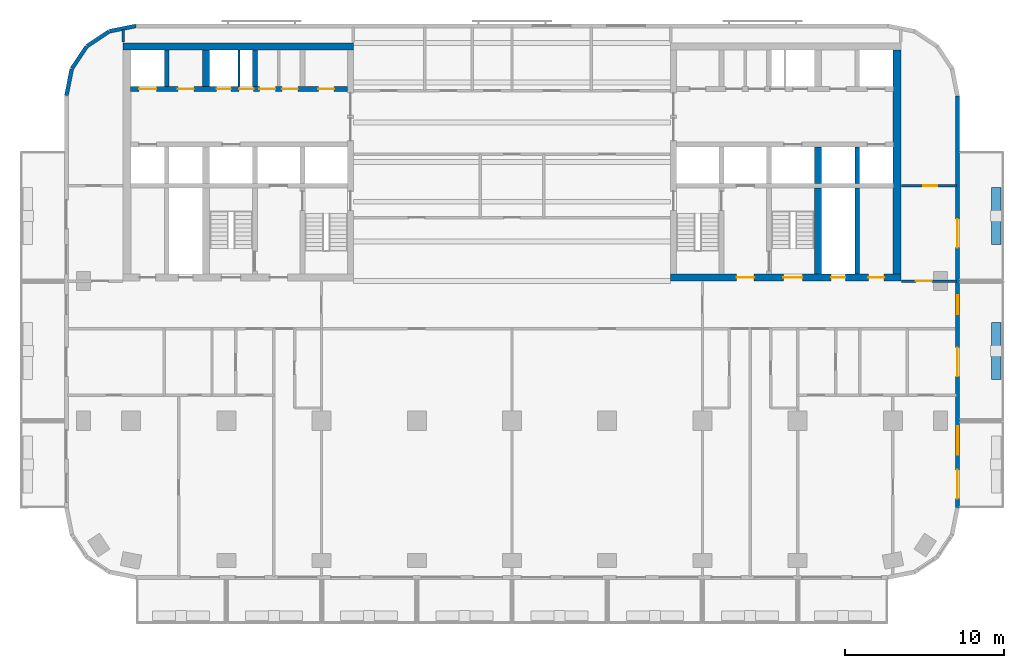
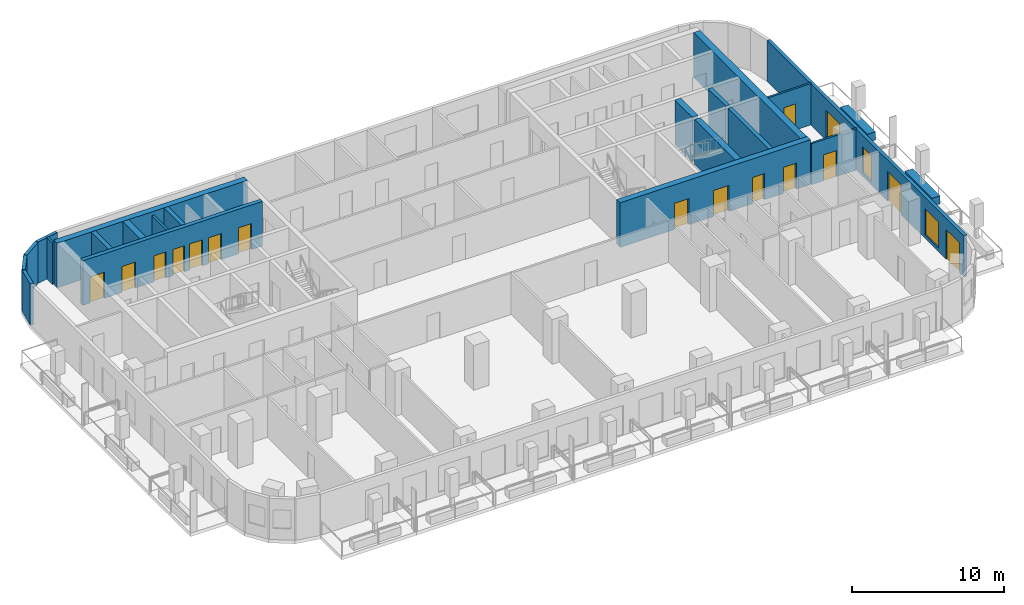
# One storey, part 6 of 11: 22 walls, 16 doors, 2 windows, 18 openings.
"""IFC4 building model written with IfcOpenShell, lengths in metres."""

from ifc_helpers import new_model, si_unit, direction, frame, frame_2d, origin, place, context, subcontext, project, spatial, rectangle, extrude, material, layer, layer_set, type_object, element, fill, save


model = new_model("IFC4")

# Units and contexts
model_context = context("Model", 3, precision=1e-05, world=origin(), true_north=direction((0.0, 1.0)))
body_context = subcontext(model_context, "Body", "Model", "MODEL_VIEW")
ifc_project = project(units=[si_unit("LENGTHUNIT", "METRE"), si_unit("AREAUNIT", "SQUARE_METRE"), si_unit("VOLUMEUNIT", "CUBIC_METRE"), si_unit("PLANEANGLEUNIT", "RADIAN"), si_unit("MASSUNIT", "GRAM", prefix="KILO")], contexts=[model_context])

# Site, building, storey
site_placement = place(None, origin())
site = spatial("IfcSite", under=ifc_project, at=site_placement, CompositionType="ELEMENT")
building_placement = place(site_placement, origin())
building = spatial("IfcBuilding", under=site, at=building_placement, Name="Torana Hotel and Residences", CompositionType="ELEMENT")
storey_placement = place(building_placement, frame((0.0, 0.0, 127.199951171875)))
storey = spatial("IfcBuildingStorey", under=building, at=storey_placement, Name="L32", CompositionType="ELEMENT", Elevation=127.199951171875)

# Wall, openings, doors
ifc_material_1 = material(Name="Concrete C70/85", Category="concrete")
ifc_layer_1 = layer(ifc_material_1, 0.300048828125)
ifc_layer_set_1 = layer_set([ifc_layer_1], Name="CORE WALL 300 C70/85")
wall_type_1 = type_object("IfcWallType", Name="CORE WALL 300 C70/85", PredefinedType="SHEAR", material=ifc_layer_set_1)
wall_1_placement = place(storey_placement, frame((-24.050048828125, -2.89990234375, 0.0), z_axis=(0.0, 0.0, 1.0), x_axis=(1.0, 0.0, 0.0)))
wall_1 = element("IfcWall", 1, at=wall_1_placement, inside=storey, type_object=wall_type_1, Name="Core wall W row-N", PredefinedType="SHEAR", context=body_context, shape_type="SweptSolid", body=[
    extrude(rectangle(XDim=13.699951171875, YDim=0.300048828125, at=frame_2d((6.85009765625, 0.0))), origin(), (0.0, 0.0, 1.0), 3.60009765625),
])
opening_1_placement = place(wall_1_placement, frame((0.550048828125, 0.0, 0.0)))
opening_1 = element("IfcOpeningElement", 2, at=opening_1_placement, cuts=wall_1, Name="Opening LD", PredefinedType="OPENING", context=body_context, shape_type="SweptSolid", body=[
    extrude(rectangle(XDim=1.10009765625, YDim=2.10009765625, at=frame_2d((0.550048828125, 1.050048828125))), frame((0.0, 0.159912109375, 0.0), z_axis=(0.0, -1.0, 0.0), x_axis=(1.0, 0.0, 0.0)), (0.0, 0.0, 1.0), 0.320068359375),
])
opening_2_placement = place(wall_1_placement, frame((6.862548828125, 0.0, 0.0)))
opening_2 = element("IfcOpeningElement", 3, at=opening_2_placement, cuts=wall_1, Name="Opening L32-08", PredefinedType="OPENING", context=body_context, shape_type="SweptSolid", body=[
    extrude(rectangle(XDim=0.89990234375, YDim=2.10009765625, at=frame_2d((0.449951171875, 1.050048828125))), frame((0.0, 0.159912109375, 0.0), z_axis=(0.0, -1.0, 0.0), x_axis=(1.0, 0.0, 0.0)), (0.0, 0.0, 1.0), 0.320068359375),
])
opening_3_placement = place(wall_1_placement, frame((5.4375, 0.0, 0.0)))
opening_3 = element("IfcOpeningElement", 4, at=opening_3_placement, cuts=wall_1, Name="Opening L32-09", PredefinedType="OPENING", context=body_context, shape_type="SweptSolid", body=[
    extrude(rectangle(XDim=0.89990234375, YDim=2.10009765625, at=frame_2d((0.449951171875, 1.050048828125))), frame((0.0, 0.159912109375, 0.0), z_axis=(0.0, -1.0, 0.0), x_axis=(1.0, 0.0, 0.0)), (0.0, 0.0, 1.0), 0.320068359375),
])
opening_4_placement = place(wall_1_placement, frame((11.85009765625, 0.0, 0.0)))
opening_4 = element("IfcOpeningElement", 5, at=opening_4_placement, cuts=wall_1, Name="Opening L32-10", PredefinedType="OPENING", context=body_context, shape_type="SweptSolid", body=[
    extrude(rectangle(XDim=1.0, YDim=2.10009765625, at=frame_2d((0.5, 1.050048828125))), frame((0.0, 0.159912109375, 0.0), z_axis=(0.0, -1.0, 0.0), x_axis=(1.0, 0.0, 0.0)), (0.0, 0.0, 1.0), 0.320068359375),
])
opening_5_placement = place(wall_1_placement, frame((9.5625, 0.0, 0.0)))
opening_5 = element("IfcOpeningElement", 6, at=opening_5_placement, cuts=wall_1, Name="Opening L32-11", PredefinedType="OPENING", context=body_context, shape_type="SweptSolid", body=[
    extrude(rectangle(XDim=1.0, YDim=2.10009765625, at=frame_2d((0.5, 1.050048828125))), frame((0.0, 0.159912109375, 0.0), z_axis=(0.0, -1.0, 0.0), x_axis=(1.0, 0.0, 0.0)), (0.0, 0.0, 1.0), 0.320068359375),
])
opening_6_placement = place(wall_1_placement, frame((8.137451171875, 0.0, 0.0)))
opening_6 = element("IfcOpeningElement", 7, at=opening_6_placement, cuts=wall_1, Name="Opening L32-12", PredefinedType="OPENING", context=body_context, shape_type="SweptSolid", body=[
    extrude(rectangle(XDim=1.0, YDim=2.10009765625, at=frame_2d((0.5, 1.050048828125))), frame((0.0, 0.159912109375, 0.0), z_axis=(0.0, -1.0, 0.0), x_axis=(1.0, 0.0, 0.0)), (0.0, 0.0, 1.0), 0.320068359375),
])
opening_7_placement = place(wall_1_placement, frame((3.0, 0.0, 0.0)))
opening_7 = element("IfcOpeningElement", 8, at=opening_7_placement, cuts=wall_1, Name="Opening L32-13", PredefinedType="OPENING", context=body_context, shape_type="SweptSolid", body=[
    extrude(rectangle(XDim=1.0, YDim=2.10009765625, at=frame_2d((0.5, 1.050048828125))), frame((0.0, 0.159912109375, 0.0), z_axis=(0.0, -1.0, 0.0), x_axis=(1.0, 0.0, 0.0)), (0.0, 0.0, 1.0), 0.320068359375),
])
ifc_material_2 = material(Name="Steel S235", Category="steel")
door_type_1 = type_object("IfcDoorType", Name="CORE ROOM FIRE DOOR D14 1000x2100", OperationType="SINGLE_SWING_LEFT", PredefinedType="DOOR", material=ifc_material_2)
door_1_placement = place(opening_4_placement, origin())
door_1 = element("IfcDoor", 9, at=door_1_placement, inside=storey, type_object=door_type_1, Name="N0 door L32", OperationType="SINGLE_SWING_RIGHT", OverallHeight=2.10009765625, OverallWidth=1.0, PredefinedType="DOOR", context=body_context, shape_type="SweptSolid", body=[
    extrude(rectangle(XDim=1.0, YDim=2.10009765625, at=frame_2d((0.5, 1.050048828125))), frame((0.0, 0.02490234375, 0.0), z_axis=(0.0, -1.0, 0.0), x_axis=(1.0, 0.0, 0.0)), (0.0, 0.0, 1.0), 0.050048828125),
])
fill(opening_4, door_1)
door_2_placement = place(opening_5_placement, origin())
door_2 = element("IfcDoor", 10, at=door_2_placement, inside=storey, type_object=door_type_1, Name="N1A door L32", OperationType="SINGLE_SWING_RIGHT", OverallHeight=2.10009765625, OverallWidth=1.0, PredefinedType="DOOR", context=body_context, shape_type="SweptSolid", body=[
    extrude(rectangle(XDim=1.0, YDim=2.10009765625, at=frame_2d((0.5, 1.050048828125))), frame((0.0, 0.02490234375, 0.0), z_axis=(0.0, -1.0, 0.0), x_axis=(1.0, 0.0, 0.0)), (0.0, 0.0, 1.0), 0.050048828125),
])
fill(opening_5, door_2)
door_3_placement = place(opening_6_placement, origin())
door_3 = element("IfcDoor", 11, at=door_3_placement, inside=storey, type_object=door_type_1, Name="N1B door L32", OperationType="SINGLE_SWING_RIGHT", OverallHeight=2.10009765625, OverallWidth=1.0, PredefinedType="DOOR", context=body_context, shape_type="SweptSolid", body=[
    extrude(rectangle(XDim=1.0, YDim=2.10009765625, at=frame_2d((0.5, 1.050048828125))), frame((0.0, 0.02490234375, 0.0), z_axis=(0.0, -1.0, 0.0), x_axis=(1.0, 0.0, 0.0)), (0.0, 0.0, 1.0), 0.050048828125),
])
fill(opening_6, door_3)
door_4_placement = place(opening_7_placement, origin())
door_4 = element("IfcDoor", 12, at=door_4_placement, inside=storey, type_object=door_type_1, Name="Freed-S1 door L32", OperationType="SINGLE_SWING_RIGHT", OverallHeight=2.10009765625, OverallWidth=1.0, PredefinedType="DOOR", context=body_context, shape_type="SweptSolid", body=[
    extrude(rectangle(XDim=1.0, YDim=2.10009765625, at=frame_2d((0.5, 1.050048828125))), frame((0.0, 0.02490234375, 0.0), z_axis=(0.0, -1.0, 0.0), x_axis=(1.0, 0.0, 0.0)), (0.0, 0.0, 1.0), 0.050048828125),
])
fill(opening_7, door_4)
ifc_material_3 = material(Name="Stainless steel 316", Category="steel")
door_type_2 = type_object("IfcDoorType", Name="LIFT LANDING DOOR LD 1100x2100", OperationType="DOUBLE_DOOR_SLIDING", PredefinedType="USERDEFINED", material=ifc_material_3)
door_5_placement = place(opening_1_placement, origin())
door_5 = element("IfcDoor", 13, at=door_5_placement, inside=storey, type_object=door_type_2, Name="Lift landing door M1 L32", ObjectType="LIFT LANDING DOOR", OperationType="DOUBLE_DOOR_SLIDING", OverallHeight=2.10009765625, OverallWidth=1.10009765625, PredefinedType="USERDEFINED", context=body_context, shape_type="SweptSolid", body=[
    extrude(rectangle(XDim=1.10009765625, YDim=2.10009765625, at=frame_2d((0.550048828125, 1.050048828125))), frame((0.0, 0.02490234375, 0.0), z_axis=(0.0, -1.0, 0.0), x_axis=(1.0, 0.0, 0.0)), (0.0, 0.0, 1.0), 0.050048828125),
])
fill(opening_1, door_5)
ifc_material_4 = material(Name="Steel S235", Category="steel")
door_type_3 = type_object("IfcDoorType", Name="RISER ACCESS DOOR D5 900x2100", OperationType="SINGLE_SWING_LEFT", PredefinedType="DOOR", material=ifc_material_4)
door_6_placement = place(opening_2_placement, origin())
door_6 = element("IfcDoor", 14, at=door_6_placement, inside=storey, type_object=door_type_3, Name="N2A door L32", OperationType="SINGLE_SWING_LEFT", OverallHeight=2.10009765625, OverallWidth=0.89990234375, PredefinedType="DOOR", context=body_context, shape_type="SweptSolid", body=[
    extrude(rectangle(XDim=0.89990234375, YDim=2.10009765625, at=frame_2d((0.449951171875, 1.050048828125))), frame((0.0, 0.02490234375, 0.0), z_axis=(0.0, -1.0, 0.0), x_axis=(1.0, 0.0, 0.0)), (0.0, 0.0, 1.0), 0.050048828125),
])
fill(opening_2, door_6)
door_7_placement = place(opening_3_placement, origin())
door_7 = element("IfcDoor", 15, at=door_7_placement, inside=storey, type_object=door_type_3, Name="N2B door L32", OperationType="SINGLE_SWING_RIGHT", OverallHeight=2.10009765625, OverallWidth=0.89990234375, PredefinedType="DOOR", context=body_context, shape_type="SweptSolid", body=[
    extrude(rectangle(XDim=0.89990234375, YDim=2.10009765625, at=frame_2d((0.449951171875, 1.050048828125))), frame((0.0, 0.02490234375, 0.0), z_axis=(0.0, -1.0, 0.0), x_axis=(1.0, 0.0, 0.0)), (0.0, 0.0, 1.0), 0.050048828125),
])
fill(opening_3, door_7)

# Walls
for number, where, z_axis, x_axis, name in (
    (16, (-16.199951171875, -2.75, 0.0), (0.0, 0.0, 1.0), (0.0, 1.0, 0.0), "Core wall W x6.05-N"),
    (17, (-21.75, -2.75, 0.0), (0.0, 0.0, 1.0), (0.0, 1.0, 0.0), "Core wall W mm-N"),
    (18, (21.75, -8.85009765625, 0.0), (0.0, 0.0, 1.0), (0.0, 1.0, 0.0), "Core wall E mm-S"),
):
    element("IfcWall", number, at=place(storey_placement, frame(where, z_axis=z_axis, x_axis=x_axis)), inside=storey, type_object=wall_type_1, Name=name, PredefinedType="SHEAR", context=body_context, shape_type="SweptSolid", body=[
        extrude(rectangle(XDim=2.300048828125, YDim=0.300048828125, at=frame_2d((1.14990234375, 0.0))), origin(), (0.0, 0.0, 1.0), 3.60009765625),
    ])
wall_2_placement = place(storey_placement, frame((21.75, -14.550048828125, 0.0), z_axis=(0.0, 0.0, 1.0), x_axis=(0.0, 1.0, 0.0)))
element("IfcWall", 19, at=wall_2_placement, inside=storey, type_object=wall_type_1, Name="Core wall E mm-band", PredefinedType="SHEAR", context=body_context, shape_type="SweptSolid", body=[
    extrude(rectangle(XDim=5.400146484375, YDim=0.300048828125, at=frame_2d((2.7001953125, 0.0))), origin(), (0.0, 0.0, 1.0), 3.60009765625),
])
ifc_material_5 = material(Name="Concrete C70/85", Category="concrete")
ifc_layer_2 = layer(ifc_material_5, 0.449951171875)
ifc_layer_set_2 = layer_set([ifc_layer_2], Name="CORE WALL 450 C70/85")
wall_type_2 = type_object("IfcWallType", Name="CORE WALL 450 C70/85", PredefinedType="SHEAR", material=ifc_layer_set_2)
wall_3_placement = place(storey_placement, frame((-24.5, -0.22509765625, 0.0), z_axis=(0.0, 0.0, 1.0), x_axis=(1.0, 0.0, 0.0)))
element("IfcWall", 20, at=wall_3_placement, inside=storey, type_object=wall_type_2, Name="Core wall W rear", PredefinedType="SHEAR", context=body_context, shape_type="SweptSolid", body=[
    extrude(rectangle(XDim=14.5, YDim=0.449951171875, at=frame_2d((7.25, 0.0))), origin(), (0.0, 0.0, 1.0), 3.60009765625),
])
wall_4_placement = place(storey_placement, frame((-19.27490234375, -2.75, 0.0), z_axis=(0.0, 0.0, 1.0), x_axis=(0.0, 1.0, 0.0)))
element("IfcWall", 21, at=wall_4_placement, inside=storey, type_object=wall_type_2, Name="Core wall W hm-N", PredefinedType="SHEAR", context=body_context, shape_type="SweptSolid", body=[
    extrude(rectangle(XDim=2.300048828125, YDim=0.449951171875, at=frame_2d((1.14990234375, 0.0))), origin(), (0.0, 0.0, 1.0), 3.60009765625),
])

# Wall, openings, doors
wall_5_placement = place(storey_placement, frame((10.0, -14.77490234375, 0.0), z_axis=(0.0, 0.0, 1.0), x_axis=(1.0, 0.0, 0.0)))
wall_5 = element("IfcWall", 22, at=wall_5_placement, inside=storey, type_object=wall_type_2, Name="Core wall E front", PredefinedType="SHEAR", context=body_context, shape_type="SweptSolid", body=[
    extrude(rectangle(XDim=14.5, YDim=0.449951171875, at=frame_2d((7.25, 0.0))), origin(), (0.0, 0.0, 1.0), 3.60009765625),
])
opening_8_placement = place(wall_5_placement, frame((7.10009765625, 0.0, 0.0)))
opening_8 = element("IfcOpeningElement", 23, at=opening_8_placement, cuts=wall_5, Name="Opening L32-19", PredefinedType="OPENING", context=body_context, shape_type="SweptSolid", body=[
    extrude(rectangle(XDim=1.199951171875, YDim=2.10009765625, at=frame_2d((0.60009765625, 1.050048828125))), frame((0.0, 0.23486328125, 0.0), z_axis=(0.0, -1.0, 0.0), x_axis=(1.0, 0.0, 0.0)), (0.0, 0.0, 1.0), 0.469970703125),
])
opening_9_placement = place(wall_5_placement, frame((4.14990234375, 0.0, 0.0)))
opening_9 = element("IfcOpeningElement", 24, at=opening_9_placement, cuts=wall_5, Name="Opening L32-20", PredefinedType="OPENING", context=body_context, shape_type="SweptSolid", body=[
    extrude(rectangle(XDim=1.10009765625, YDim=2.10009765625, at=frame_2d((0.550048828125, 1.050048828125))), frame((0.0, 0.23486328125, 0.0), z_axis=(0.0, -1.0, 0.0), x_axis=(1.0, 0.0, 0.0)), (0.0, 0.0, 1.0), 0.469970703125),
])
opening_10_placement = place(wall_5_placement, frame((10.10009765625, 0.0, 0.0)))
opening_10 = element("IfcOpeningElement", 25, at=opening_10_placement, cuts=wall_5, Name="Opening L32-21", PredefinedType="OPENING", context=body_context, shape_type="SweptSolid", body=[
    extrude(rectangle(XDim=0.89990234375, YDim=2.10009765625, at=frame_2d((0.449951171875, 1.050048828125))), frame((0.0, 0.23486328125, 0.0), z_axis=(0.0, -1.0, 0.0), x_axis=(1.0, 0.0, 0.0)), (0.0, 0.0, 1.0), 0.469970703125),
])
opening_11_placement = place(wall_5_placement, frame((12.449951171875, 0.0, 0.0)))
opening_11 = element("IfcOpeningElement", 26, at=opening_11_placement, cuts=wall_5, Name="Opening L32-22", PredefinedType="OPENING", context=body_context, shape_type="SweptSolid", body=[
    extrude(rectangle(XDim=1.0, YDim=2.10009765625, at=frame_2d((0.5, 1.050048828125))), frame((0.0, 0.23486328125, 0.0), z_axis=(0.0, -1.0, 0.0), x_axis=(1.0, 0.0, 0.0)), (0.0, 0.0, 1.0), 0.469970703125),
])
door_8_placement = place(opening_11_placement, origin())
door_8 = element("IfcDoor", 27, at=door_8_placement, inside=storey, type_object=door_type_1, Name="M-Room door L32", OperationType="SINGLE_SWING_RIGHT", OverallHeight=2.10009765625, OverallWidth=1.0, PredefinedType="DOOR", context=body_context, shape_type="SweptSolid", body=[
    extrude(rectangle(XDim=1.0, YDim=2.10009765625, at=frame_2d((0.5, 1.050048828125))), frame((0.0, 0.02490234375, 0.0), z_axis=(0.0, -1.0, 0.0), x_axis=(1.0, 0.0, 0.0)), (0.0, 0.0, 1.0), 0.050048828125),
])
fill(opening_11, door_8)
ifc_material_6 = material(Name="Steel S235", Category="steel")
door_type_4 = type_object("IfcDoorType", Name="FIRE-FIGHTING LOBBY DOOR D8 1100x2100", OperationType="SINGLE_SWING_LEFT", PredefinedType="DOOR", material=ifc_material_6)
door_9_placement = place(opening_9_placement, origin())
door_9 = element("IfcDoor", 28, at=door_9_placement, inside=storey, type_object=door_type_4, Name="FF-lobby door L32", OperationType="SINGLE_SWING_RIGHT", OverallHeight=2.10009765625, OverallWidth=1.10009765625, PredefinedType="DOOR", context=body_context, shape_type="SweptSolid", body=[
    extrude(rectangle(XDim=1.10009765625, YDim=2.10009765625, at=frame_2d((0.550048828125, 1.050048828125))), frame((0.0, 0.02490234375, 0.0), z_axis=(0.0, -1.0, 0.0), x_axis=(1.0, 0.0, 0.0)), (0.0, 0.0, 1.0), 0.050048828125),
])
fill(opening_9, door_9)
door_10_placement = place(opening_10_placement, origin())
door_10 = element("IfcDoor", 29, at=door_10_placement, inside=storey, type_object=door_type_3, Name="M-Riser door L32", OperationType="SINGLE_SWING_RIGHT", OverallHeight=2.10009765625, OverallWidth=0.89990234375, PredefinedType="DOOR", context=body_context, shape_type="SweptSolid", body=[
    extrude(rectangle(XDim=0.89990234375, YDim=2.10009765625, at=frame_2d((0.449951171875, 1.050048828125))), frame((0.0, 0.02490234375, 0.0), z_axis=(0.0, -1.0, 0.0), x_axis=(1.0, 0.0, 0.0)), (0.0, 0.0, 1.0), 0.050048828125),
])
fill(opening_10, door_10)
ifc_material_7 = material(Name="Steel S235", Category="steel")
door_type_5 = type_object("IfcDoorType", Name="STAIR FIRE DOOR D3 1200x2100", OperationType="SINGLE_SWING_LEFT", PredefinedType="DOOR", material=ifc_material_7)
door_11_placement = place(opening_8_placement, origin())
door_11 = element("IfcDoor", 30, at=door_11_placement, inside=storey, type_object=door_type_5, Name="Stair-B door L32", OperationType="SINGLE_SWING_RIGHT", OverallHeight=2.10009765625, OverallWidth=1.199951171875, PredefinedType="DOOR", context=body_context, shape_type="SweptSolid", body=[
    extrude(rectangle(XDim=1.199951171875, YDim=2.10009765625, at=frame_2d((0.60009765625, 1.050048828125))), frame((0.0, 0.02490234375, 0.0), z_axis=(0.0, -1.0, 0.0), x_axis=(1.0, 0.0, 0.0)), (0.0, 0.0, 1.0), 0.050048828125),
])
fill(opening_8, door_11)

# Walls
wall_6_placement = place(storey_placement, frame((19.27490234375, -8.85009765625, 0.0), z_axis=(0.0, 0.0, 1.0), x_axis=(0.0, 1.0, 0.0)))
element("IfcWall", 31, at=wall_6_placement, inside=storey, type_object=wall_type_2, Name="Core wall E hm-S", PredefinedType="SHEAR", context=body_context, shape_type="SweptSolid", body=[
    extrude(rectangle(XDim=2.300048828125, YDim=0.449951171875, at=frame_2d((1.14990234375, 0.0))), origin(), (0.0, 0.0, 1.0), 3.60009765625),
])
wall_7_placement = place(storey_placement, frame((19.27490234375, -14.550048828125, 0.0), z_axis=(0.0, 0.0, 1.0), x_axis=(0.0, 1.0, 0.0)))
element("IfcWall", 32, at=wall_7_placement, inside=storey, type_object=wall_type_2, Name="Core wall E hm-band", PredefinedType="SHEAR", context=body_context, shape_type="SweptSolid", body=[
    extrude(rectangle(XDim=5.400146484375, YDim=0.449951171875, at=frame_2d((2.7001953125, 0.0))), origin(), (0.0, 0.0, 1.0), 3.60009765625),
])
ifc_material_8 = material(Name="Concrete C70/85", Category="concrete")
ifc_layer_3 = layer(ifc_material_8, 0.5)
ifc_layer_set_3 = layer_set([ifc_layer_3], Name="CORE WALL 500 C70/85")
wall_type_3 = type_object("IfcWallType", Name="CORE WALL 500 C70/85", PredefinedType="SHEAR", material=ifc_layer_set_3)
wall_8_placement = place(storey_placement, frame((24.25, -14.550048828125, 0.0), z_axis=(0.0, 0.0, 1.0), x_axis=(0.0, 1.0, 0.0)))
element("IfcWall", 33, at=wall_8_placement, inside=storey, type_object=wall_type_3, Name="Core wall E outer", PredefinedType="SHEAR", context=body_context, shape_type="SweptSolid", body=[
    extrude(rectangle(XDim=14.10009765625, YDim=0.5, at=frame_2d((7.050048828125, 0.0))), origin(), (0.0, 0.0, 1.0), 3.60009765625),
])
ifc_material_9 = material(Name="Black aluminium composite panel", Category="aluminium")
ifc_layer_4 = layer(ifc_material_9, 0.00390625, Name="Cladding", Category="cladding")
ifc_material_10 = material(Name="Ventilated air cavity")
ifc_layer_5 = layer(ifc_material_10, 0.0400390625, Name="Ventilated cavity", Category="cavity")
ifc_material_11 = material(Name="Mineral wool insulation")
ifc_layer_6 = layer(ifc_material_11, 0.090087890625, Name="Insulation", Category="insulation")
ifc_material_12 = material(Name="Steel S280GD", Category="steel")
ifc_layer_7 = layer(ifc_material_12, 0.092041015625, Name="Steel stud frame", Category="structure")
ifc_material_13 = material(Name="Fire rated plasterboard")
ifc_layer_8 = layer(ifc_material_13, 0.011962890625, Name="Inner board", Category="finish")
ifc_layer_9 = layer(ifc_material_13, 0.011962890625, Name="Second board", Category="finish")
ifc_layer_set_4 = layer_set([ifc_layer_4, ifc_layer_5, ifc_layer_6, ifc_layer_7, ifc_layer_8, ifc_layer_9], Name="EW1 EXTERNAL WALL BLACK METAL CLAD 250")
wall_type_4 = type_object("IfcWallType", Name="EW1 EXTERNAL WALL BLACK METAL CLAD 250", PredefinedType="SOLIDWALL", material=ifc_layer_set_4)
wall_9_placement = place(storey_placement, frame((-23.69970703125, 1.072509765625, 0.0), z_axis=(0.0, 0.0, 1.0), x_axis=(-0.980803419081, -0.194999110559, 0.0)))
element("IfcWall", 34, at=wall_9_placement, inside=storey, type_object=wall_type_4, Name="External wall L32 e0.5", PredefinedType="SOLIDWALL", context=body_context, shape_type="SweptSolid", body=[
    extrude(rectangle(XDim=1.681396484375, YDim=0.25, at=frame_2d((0.8408203125, 0.0))), origin(), (0.0, 0.0, 1.0), 3.320068359375),
])
for number, where, z_axis, x_axis, name in (
    (35, (-25.39404296875, 0.725830078125, 0.0), (0.0, 0.0, 1.0), (-0.831482937015, -0.55555029066, 0.0), "External wall L32 e0.6"),
    (36, (-26.8056640625, -0.228759765625, 0.0), (0.0, 0.0, 1.0), (-0.55555029066, -0.831482937015, 0.0), "External wall L32 e0.7"),
):
    element("IfcWall", number, at=place(storey_placement, frame(where, z_axis=z_axis, x_axis=x_axis)), inside=storey, type_object=wall_type_4, Name=name, PredefinedType="SOLIDWALL", context=body_context, shape_type="SweptSolid", body=[
        extrude(rectangle(XDim=1.65625, YDim=0.25, at=frame_2d((0.828125, 0.0))), origin(), (0.0, 0.0, 1.0), 3.320068359375),
    ])
wall_10_placement = place(storey_placement, frame((-27.74462890625, -1.651123046875, 0.0), z_axis=(0.0, 0.0, 1.0), x_axis=(-0.194999110559, -0.980803419081, 0.0)))
element("IfcWall", 37, at=wall_10_placement, inside=storey, type_object=wall_type_4, Name="External wall L32 e0.8", PredefinedType="SOLIDWALL", context=body_context, shape_type="SweptSolid", body=[
    extrude(rectangle(XDim=1.681396484375, YDim=0.25, at=frame_2d((0.8408203125, 0.0))), origin(), (0.0, 0.0, 1.0), 3.320068359375),
])

# Wall, openings, doors, windows
wall_11_placement = place(storey_placement, frame((28.074951171875, -29.275390625, 0.0), z_axis=(0.0, 0.0, 1.0), x_axis=(0.0, 1.0, 0.0)))
wall_11 = element("IfcWall", 38, at=wall_11_placement, inside=storey, type_object=wall_type_4, Name="External wall L32 e0.19", PredefinedType="SOLIDWALL", context=body_context, shape_type="SweptSolid", body=[
    extrude(rectangle(XDim=25.95068359375, YDim=0.25, at=frame_2d((12.975341796875, 0.0))), origin(), (0.0, 0.0, 1.0), 3.320068359375),
])
opening_12_placement = place(wall_11_placement, frame((0.575439453125, 0.0, 0.0)))
opening_12 = element("IfcOpeningElement", 39, at=opening_12_placement, cuts=wall_11, Name="Opening L32-E09", PredefinedType="OPENING", context=body_context, shape_type="SweptSolid", body=[
    extrude(rectangle(XDim=1.800048828125, YDim=2.39990234375, at=frame_2d((0.89990234375, 1.199951171875))), frame((0.0, 0.135009765625, 0.0), z_axis=(0.0, -1.0, 0.0), x_axis=(1.0, 0.0, 0.0)), (0.0, 0.0, 1.0), 0.27001953125),
])
opening_13_placement = place(wall_11_placement, frame((3.325439453125, 0.0, 0.300048828125)))
opening_13 = element("IfcOpeningElement", 40, at=opening_13_placement, cuts=wall_11, Name="Opening W2", PredefinedType="OPENING", context=body_context, shape_type="SweptSolid", body=[
    extrude(rectangle(XDim=1.800048828125, YDim=2.10009765625, at=frame_2d((0.89990234375, 1.050048828125))), frame((0.0, 0.135009765625, 0.0), z_axis=(0.0, -1.0, 0.0), x_axis=(1.0, 0.0, 0.0)), (0.0, 0.0, 1.0), 0.27001953125),
])
opening_14_placement = place(wall_11_placement, frame((8.275390625, 0.0, 0.0)))
opening_14 = element("IfcOpeningElement", 41, at=opening_14_placement, cuts=wall_11, Name="Opening L32-E10", PredefinedType="OPENING", context=body_context, shape_type="SweptSolid", body=[
    extrude(rectangle(XDim=1.800048828125, YDim=2.39990234375, at=frame_2d((0.89990234375, 1.199951171875))), frame((0.0, 0.135009765625, 0.0), z_axis=(0.0, -1.0, 0.0), x_axis=(1.0, 0.0, 0.0)), (0.0, 0.0, 1.0), 0.27001953125),
])
opening_15_placement = place(wall_11_placement, frame((12.17529296875, 0.0, 0.300048828125)))
opening_15 = element("IfcOpeningElement", 42, at=opening_15_placement, cuts=wall_11, Name="Opening W7", PredefinedType="OPENING", context=body_context, shape_type="SweptSolid", body=[
    extrude(rectangle(XDim=1.199951171875, YDim=2.10009765625, at=frame_2d((0.60009765625, 1.050048828125))), frame((0.0, 0.135009765625, 0.0), z_axis=(0.0, -1.0, 0.0), x_axis=(1.0, 0.0, 0.0)), (0.0, 0.0, 1.0), 0.27001953125),
])
opening_16_placement = place(wall_11_placement, frame((16.37548828125, 0.0, 0.0)))
opening_16 = element("IfcOpeningElement", 43, at=opening_16_placement, cuts=wall_11, Name="Opening L32-E11", PredefinedType="OPENING", context=body_context, shape_type="SweptSolid", body=[
    extrude(rectangle(XDim=1.800048828125, YDim=2.39990234375, at=frame_2d((0.89990234375, 1.199951171875))), frame((0.0, 0.135009765625, 0.0), z_axis=(0.0, -1.0, 0.0), x_axis=(1.0, 0.0, 0.0)), (0.0, 0.0, 1.0), 0.27001953125),
])
ifc_material_14 = material(Name="Dark glass in black aluminium frame", Category="aluminium")
door_type_6 = type_object("IfcDoorType", Name="DB1 BALCONY DOOR 1800x2400", OperationType="DOUBLE_DOOR_SINGLE_SWING", PredefinedType="DOOR", material=ifc_material_14)
door_12_placement = place(opening_12_placement, origin())
door_12 = element("IfcDoor", 44, at=door_12_placement, inside=storey, type_object=door_type_6, Name="Balcony door L32", OperationType="DOUBLE_DOOR_SINGLE_SWING", OverallHeight=2.39990234375, OverallWidth=1.800048828125, PredefinedType="DOOR", context=body_context, shape_type="SweptSolid", body=[
    extrude(rectangle(XDim=1.800048828125, YDim=2.39990234375, at=frame_2d((0.89990234375, 1.199951171875))), frame((0.0, 0.02490234375, 0.0), z_axis=(0.0, -1.0, 0.0), x_axis=(1.0, 0.0, 0.0)), (0.0, 0.0, 1.0), 0.050048828125),
])
fill(opening_12, door_12)
door_13_placement = place(opening_14_placement, origin())
door_13 = element("IfcDoor", 45, at=door_13_placement, inside=storey, type_object=door_type_6, Name="Balcony door L32", OperationType="DOUBLE_DOOR_SINGLE_SWING", OverallHeight=2.39990234375, OverallWidth=1.800048828125, PredefinedType="DOOR", context=body_context, shape_type="SweptSolid", body=[
    extrude(rectangle(XDim=1.800048828125, YDim=2.39990234375, at=frame_2d((0.89990234375, 1.199951171875))), frame((0.0, 0.02490234375, 0.0), z_axis=(0.0, -1.0, 0.0), x_axis=(1.0, 0.0, 0.0)), (0.0, 0.0, 1.0), 0.050048828125),
])
fill(opening_14, door_13)
door_14_placement = place(opening_16_placement, origin())
door_14 = element("IfcDoor", 46, at=door_14_placement, inside=storey, type_object=door_type_6, Name="Balcony door L32", OperationType="DOUBLE_DOOR_SINGLE_SWING", OverallHeight=2.39990234375, OverallWidth=1.800048828125, PredefinedType="DOOR", context=body_context, shape_type="SweptSolid", body=[
    extrude(rectangle(XDim=1.800048828125, YDim=2.39990234375, at=frame_2d((0.89990234375, 1.199951171875))), frame((0.0, 0.02490234375, 0.0), z_axis=(0.0, -1.0, 0.0), x_axis=(1.0, 0.0, 0.0)), (0.0, 0.0, 1.0), 0.050048828125),
])
fill(opening_16, door_14)
ifc_material_15 = material(Name="Dark glass in black aluminium frame", Category="aluminium")
window_type_1 = type_object("IfcWindowType", Name="W2 HOTEL ROOM WINDOW NARROW 1800x2100", PartitioningType="SINGLE_PANEL", PredefinedType="WINDOW", material=ifc_material_15)
window_1_placement = place(opening_13_placement, origin())
window_1 = element("IfcWindow", 47, at=window_1_placement, inside=storey, type_object=window_type_1, Name="Window L32", OverallHeight=2.10009765625, OverallWidth=1.800048828125, PartitioningType="SINGLE_PANEL", PredefinedType="WINDOW", context=body_context, shape_type="SweptSolid", body=[
    extrude(rectangle(XDim=1.800048828125, YDim=2.10009765625, at=frame_2d((0.89990234375, 1.050048828125))), frame((0.0, 0.030029296875, 0.0), z_axis=(0.0, -1.0, 0.0), x_axis=(1.0, 0.0, 0.0)), (0.0, 0.0, 1.0), 0.06005859375),
])
fill(opening_13, window_1)
ifc_material_16 = material(Name="Dark glass in black aluminium frame", Category="aluminium")
window_type_2 = type_object("IfcWindowType", Name="W7 HOTEL CORRIDOR WINDOW 1200x2100", PartitioningType="SINGLE_PANEL", PredefinedType="WINDOW", material=ifc_material_16)
window_2_placement = place(opening_15_placement, origin())
window_2 = element("IfcWindow", 48, at=window_2_placement, inside=storey, type_object=window_type_2, Name="Window L32", OverallHeight=2.10009765625, OverallWidth=1.199951171875, PartitioningType="SINGLE_PANEL", PredefinedType="WINDOW", context=body_context, shape_type="SweptSolid", body=[
    extrude(rectangle(XDim=1.199951171875, YDim=2.10009765625, at=frame_2d((0.60009765625, 1.050048828125))), frame((0.0, 0.030029296875, 0.0), z_axis=(0.0, -1.0, 0.0), x_axis=(1.0, 0.0, 0.0)), (0.0, 0.0, 1.0), 0.06005859375),
])
fill(opening_15, window_2)

# Wall
ifc_material_17 = material(Name="Gypsum plaster")
ifc_layer_10 = layer(ifc_material_17, 0.014892578125, Name="Plaster", Category="finish")
ifc_material_18 = material(Name="Concrete blockwork", Category="masonry")
ifc_layer_11 = layer(ifc_material_18, 0.1201171875, Name="Blockwork", Category="structure")
ifc_layer_12 = layer(ifc_material_17, 0.014892578125, Name="Plaster", Category="finish")
ifc_layer_set_5 = layer_set([ifc_layer_10, ifc_layer_11, ifc_layer_12], Name="FIRE PARTITION 150 BLOCKWORK")
wall_type_5 = type_object("IfcWallType", Name="FIRE PARTITION 150 BLOCKWORK", PredefinedType="PARTITIONING", material=ifc_layer_set_5)
wall_12_placement = place(storey_placement, frame((-17.199951171875, -2.75, 0.0), z_axis=(0.0, 0.0, 1.0), x_axis=(0.0, 1.0, 0.0)))
element("IfcWall", 49, at=wall_12_placement, inside=storey, type_object=wall_type_5, Name="Core partition L32", PredefinedType="PARTITIONING", context=body_context, shape_type="SweptSolid", body=[
    extrude(rectangle(XDim=2.300048828125, YDim=0.14990234375, at=frame_2d((1.14990234375, 0.0))), origin(), (0.0, 0.0, 1.0), 3.300048828125),
])

# Wall, opening, door
wall_13_placement = place(storey_placement, frame((24.550048828125, -15.0, 0.0), z_axis=(0.0, 0.0, 1.0), x_axis=(1.0, 0.0, 0.0)))
wall_13 = element("IfcWall", 50, at=wall_13_placement, inside=storey, type_object=wall_type_5, Name="Partition L32", PredefinedType="PARTITIONING", context=body_context, shape_type="SweptSolid", body=[
    extrude(rectangle(XDim=3.469970703125, YDim=0.14990234375, at=frame_2d((1.73486328125, 0.0))), origin(), (0.0, 0.0, 1.0), 3.320068359375),
])
opening_17_placement = place(wall_13_placement, frame((0.89990234375, 0.0, 0.0)))
opening_17 = element("IfcOpeningElement", 51, at=opening_17_placement, cuts=wall_13, Name="Opening L32-39", PredefinedType="OPENING", context=body_context, shape_type="SweptSolid", body=[
    extrude(rectangle(XDim=1.0, YDim=2.10009765625, at=frame_2d((0.5, 1.050048828125))), frame((0.0, 0.0849609375, 0.0), z_axis=(0.0, -1.0, 0.0), x_axis=(1.0, 0.0, 0.0)), (0.0, 0.0, 1.0), 0.169921875),
])
door_15_placement = place(opening_17_placement, origin())
door_15 = element("IfcDoor", 52, at=door_15_placement, inside=storey, type_object=door_type_1, Name="Door L32", OperationType="SINGLE_SWING_LEFT", OverallHeight=2.10009765625, OverallWidth=1.0, PredefinedType="DOOR", context=body_context, shape_type="SweptSolid", body=[
    extrude(rectangle(XDim=1.0, YDim=2.10009765625, at=frame_2d((0.5, 1.050048828125))), frame((0.0, 0.02490234375, 0.0), z_axis=(0.0, -1.0, 0.0), x_axis=(1.0, 0.0, 0.0)), (0.0, 0.0, 1.0), 0.050048828125),
])
fill(opening_17, door_15)

# Wall
ifc_material_19 = material(Name="Gypsum plasterboard")
ifc_layer_13 = layer(ifc_material_19, 0.012451171875, Name="Plasterboard", Category="finish")
ifc_layer_14 = layer(ifc_material_19, 0.012451171875, Name="Plasterboard", Category="finish")
ifc_layer_15 = layer(ifc_material_12, 0.10009765625, Name="Steel studs with mineral wool", Category="insulation")
ifc_layer_16 = layer(ifc_material_19, 0.012451171875, Name="Plasterboard", Category="finish")
ifc_layer_17 = layer(ifc_material_19, 0.012451171875, Name="Plasterboard", Category="finish")
ifc_layer_set_6 = layer_set([ifc_layer_13, ifc_layer_14, ifc_layer_15, ifc_layer_16, ifc_layer_17], Name="PARTITION 150 PLASTERBOARD")
wall_type_6 = type_object("IfcWallType", Name="PARTITION 150 PLASTERBOARD", PredefinedType="PARTITIONING", material=ifc_layer_set_6)
wall_14_placement = place(storey_placement, frame((-24.5, 0.050048828125, 0.0), z_axis=(0.0, 0.0, 1.0), x_axis=(0.0, 1.0, 0.0)))
element("IfcWall", 53, at=wall_14_placement, inside=storey, type_object=wall_type_6, Name="Partition L32", PredefinedType="PARTITIONING", context=body_context, shape_type="SweptSolid", body=[
    extrude(rectangle(XDim=0.807373046875, YDim=0.14990234375, at=frame_2d((0.40380859375, 0.0))), origin(), (0.0, 0.0, 1.0), 3.320068359375),
])

# Wall, opening, door
wall_15_placement = place(storey_placement, frame((24.550048828125, -9.0, 0.0), z_axis=(0.0, 0.0, 1.0), x_axis=(1.0, 0.0, 0.0)))
wall_15 = element("IfcWall", 54, at=wall_15_placement, inside=storey, type_object=wall_type_6, Name="Partition L32", PredefinedType="PARTITIONING", context=body_context, shape_type="SweptSolid", body=[
    extrude(rectangle(XDim=3.469970703125, YDim=0.14990234375, at=frame_2d((1.73486328125, 0.0))), origin(), (0.0, 0.0, 1.0), 3.320068359375),
])
opening_18_placement = place(wall_15_placement, frame((1.35009765625, 0.0, 0.0)))
opening_18 = element("IfcOpeningElement", 55, at=opening_18_placement, cuts=wall_15, Name="Opening L32-65", PredefinedType="OPENING", context=body_context, shape_type="SweptSolid", body=[
    extrude(rectangle(XDim=0.89990234375, YDim=2.10009765625, at=frame_2d((0.449951171875, 1.050048828125))), frame((0.0, 0.0849609375, 0.0), z_axis=(0.0, -1.0, 0.0), x_axis=(1.0, 0.0, 0.0)), (0.0, 0.0, 1.0), 0.169921875),
])
ifc_material_20 = material(Name="Timber door, oiled ash", Category="wood")
door_type_7 = type_object("IfcDoorType", Name="ROOM DOOR D7 900x2100", OperationType="SINGLE_SWING_LEFT", PredefinedType="DOOR", material=ifc_material_20)
door_16_placement = place(opening_18_placement, origin())
door_16 = element("IfcDoor", 56, at=door_16_placement, inside=storey, type_object=door_type_7, Name="Door L32", OperationType="SINGLE_SWING_LEFT", OverallHeight=2.10009765625, OverallWidth=0.89990234375, PredefinedType="DOOR", context=body_context, shape_type="SweptSolid", body=[
    extrude(rectangle(XDim=0.89990234375, YDim=2.10009765625, at=frame_2d((0.449951171875, 1.050048828125))), frame((0.0, 0.02490234375, 0.0), z_axis=(0.0, -1.0, 0.0), x_axis=(1.0, 0.0, 0.0)), (0.0, 0.0, 1.0), 0.050048828125),
])
fill(opening_18, door_16)

# Walls
ifc_material_21 = material(Name="Concrete C40/50 precast", Category="concrete")
ifc_layer_18 = layer(ifc_material_21, 0.10009765625, Name="Planter shell", Category="structure")
ifc_material_22 = material(Name="Root resistant membrane")
ifc_layer_19 = layer(ifc_material_22, 0.00390625, Name="Waterproofing membrane", Category="membrane")
ifc_material_23 = material(Name="Drainage board with filter fleece")
ifc_layer_20 = layer(ifc_material_23, 0.02001953125, Name="Drainage board", Category="drainage")
ifc_material_24 = material(Name="Growing medium")
ifc_layer_21 = layer(ifc_material_24, 0.47607421875, Name="Planting substrate", Category="soil")
ifc_layer_set_7 = layer_set([ifc_layer_18, ifc_layer_19, ifc_layer_20, ifc_layer_21], Name="PL1 BALCONY PLANTER 600")
wall_type_7 = type_object("IfcWallType", Name="PL1 BALCONY PLANTER 600", PredefinedType="USERDEFINED", material=ifc_layer_set_7)
for number, where, z_axis, x_axis, name in (
    (57, (30.5, -17.60009765625, 0.0), (0.0, 0.0, 1.0), (0.0, -1.0, 0.0), "Planter 13"),
    (58, (30.5, -9.10009765625, 0.0), (0.0, 0.0, 1.0), (0.0, -1.0, 0.0), "Planter 14"),
):
    element("IfcWall", number, at=place(storey_placement, frame(where, z_axis=z_axis, x_axis=x_axis)), inside=storey, type_object=wall_type_7, Name=name, ObjectType="PLANTER", PredefinedType="USERDEFINED", context=body_context, shape_type="SweptSolid", body=[
        extrude(rectangle(XDim=3.599853515625, YDim=0.60009765625, at=frame_2d((1.7998046875, 0.0))), origin(), (0.0, 0.0, 1.0), 0.650146484375),
    ])

save(model, "model.ifc")
